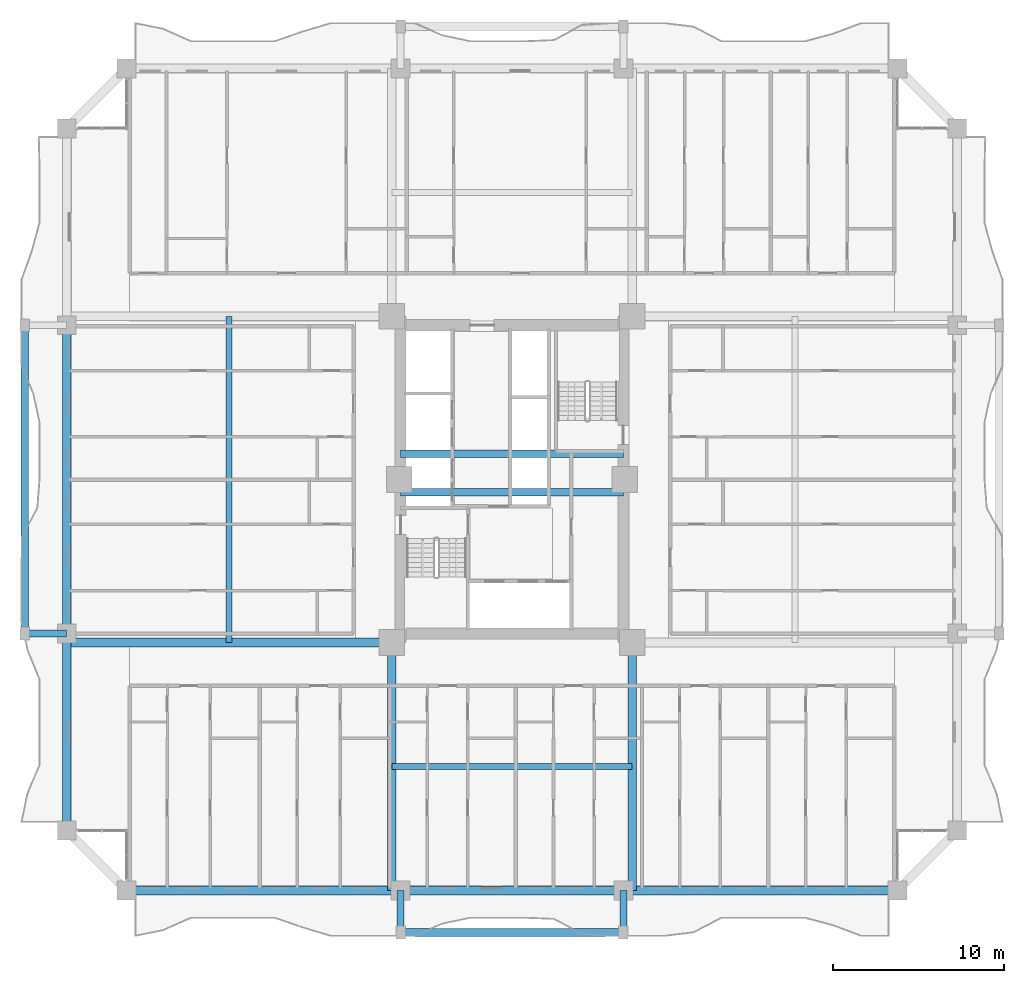
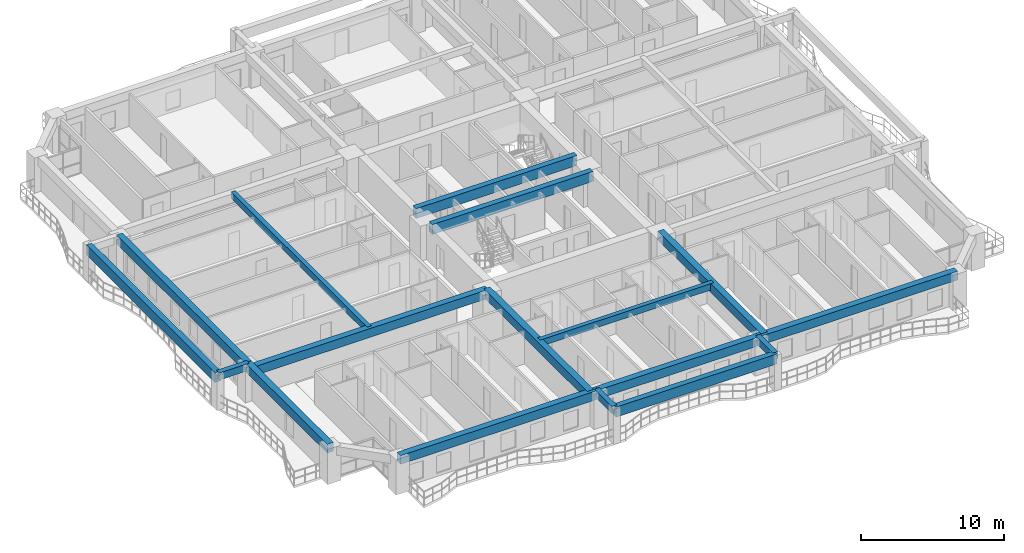
# One storey, part 3 of 28: 17 beams.
"""IFC4 building model written with IfcOpenShell, lengths in metres."""

from ifc_helpers import new_model, si_unit, direction, frame, origin, origin_2d, place, context, subcontext, project, spatial, rectangle, extrude, source, transform, mapped, material, material_profile, profile_set, type_object, element, save


model = new_model("IFC4")

# Units and contexts
model_context = context("Model", 3, precision=1e-05, world=origin(), true_north=direction((0.0, 1.0)))
body_context = subcontext(model_context, "Body", "Model", "MODEL_VIEW")
ifc_project = project(units=[si_unit("LENGTHUNIT", "METRE"), si_unit("AREAUNIT", "SQUARE_METRE"), si_unit("VOLUMEUNIT", "CUBIC_METRE"), si_unit("PLANEANGLEUNIT", "RADIAN"), si_unit("MASSUNIT", "GRAM", prefix="KILO")], contexts=[model_context])

# Site, building, storey
site_placement = place(None, origin())
site = spatial("IfcSite", under=ifc_project, at=site_placement, CompositionType="ELEMENT")
building_placement = place(site_placement, origin())
building = spatial("IfcBuilding", under=site, at=building_placement, Name="Saelheon Loggia Tower", CompositionType="ELEMENT")
storey_placement = place(building_placement, frame((0.0, 0.0, 25.39990234375)))
storey = spatial("IfcBuildingStorey", under=building, at=storey_placement, Name="L07", CompositionType="ELEMENT", Elevation=25.39990234375)

# Beams
ifc_material_1 = material(Name="Concrete C50/60", Category="concrete")
ifc_material_profile_1 = material_profile(ifc_material_1, rectangle(XDim=0.449951171875, YDim=0.85009765625, at=origin_2d()), Name="RC-450x850")
ifc_profile_set_1 = profile_set([ifc_material_profile_1], Name="Concrete C50/60")
beam_type_1 = type_object("IfcBeamType", Name="Beam_CoreLintel_RC450x850", PredefinedType="LINTEL", material=ifc_profile_set_1)
shared_shape_1 = source(origin(), body_context, "Body", "SweptSolid", [
    extrude(rectangle(XDim=0.449951171875, YDim=0.85009765625, at=origin_2d()), origin(), (0.0, 0.0, 1.0), 13.0),
])
for number, where, z_axis, x_axis, name in (
    (1, (31.5, 26.25, 2.5751953125), (1.0, 0.0, 0.0), (0.0, 1.0, 0.0), "L07 Core Coupling Lintel 1"),
    (2, (31.5, 28.5, 2.5751953125), (1.0, 0.0, 0.0), (0.0, 1.0, 0.0), "L07 Core Coupling Lintel 2"),
):
    element("IfcBeam", number, at=place(storey_placement, frame(where, z_axis=z_axis, x_axis=x_axis)), inside=storey, type_object=beam_type_1, Name=name, PredefinedType="LINTEL", context=body_context, shape_type="MappedRepresentation", body=[
        mapped(shared_shape_1, transform((0.0, 0.0, 0.0), scale=1.0)),
    ])
ifc_material_2 = material(Name="Precast Concrete C45/55", Category="concrete")
ifc_material_profile_2 = material_profile(ifc_material_2, rectangle(XDim=0.449951171875, YDim=0.85009765625, at=origin_2d()), Name="RC-450x850")
ifc_profile_set_2 = profile_set([ifc_material_profile_2], Name="Precast Concrete C45/55")
beam_type_2 = type_object("IfcBeamType", Name="Beam_LoggiaSpandrel_RC450x850", PredefinedType="SPANDREL", material=ifc_profile_set_2)
beam_1_placement = place(storey_placement, frame((31.5, 0.550048828125, 2.5751953125), z_axis=(1.0, 0.0, 0.0), x_axis=(0.0, 1.0, 0.0)))
element("IfcBeam", 3, at=beam_1_placement, inside=storey, type_object=beam_type_2, Name="L07 Loggia Spandrel Beam S", PredefinedType="SPANDREL", context=body_context, shape_type="MappedRepresentation", body=[
    mapped(shared_shape_1, transform((0.0, 0.0, 0.0), scale=1.0)),
])
ifc_material_3 = material(Name="Concrete C45/55", Category="concrete")
ifc_material_profile_3 = material_profile(ifc_material_3, rectangle(XDim=0.5, YDim=0.75, at=origin_2d()), Name="RC-500x750")
ifc_profile_set_3 = profile_set([ifc_material_profile_3], Name="Concrete C45/55")
beam_type_3 = type_object("IfcBeamType", Name="Beam_FloorGirder_RC500x750", PredefinedType="BEAM", material=ifc_profile_set_3)
shared_shape_2 = source(origin(), body_context, "Body", "SweptSolid", [
    extrude(rectangle(XDim=0.5, YDim=0.75, at=origin_2d()), origin(), (0.0, 0.0, 1.0), 14.47998046875),
])
for number, where, z_axis, x_axis, name in (
    (4, (30.97998046875, 17.47998046875, 2.625), (0.0, -1.0, 0.0), (1.0, 0.0, 0.0), "L07 Radial Floor Girder RAD-SW-S"),
    (5, (45.02001953125, 17.47998046875, 2.625), (0.0, -1.0, 0.0), (1.0, 0.0, 0.0), "L07 Radial Floor Girder RAD-SE-S"),
):
    element("IfcBeam", number, at=place(storey_placement, frame(where, z_axis=z_axis, x_axis=x_axis)), inside=storey, type_object=beam_type_3, Name=name, PredefinedType="BEAM", context=body_context, shape_type="MappedRepresentation", body=[
        mapped(shared_shape_2, transform((0.0, 0.0, 0.0), scale=1.0)),
    ])
ifc_material_profile_4 = material_profile(ifc_material_3, rectangle(XDim=0.5, YDim=0.75, at=origin_2d()), Name="RC-500x750")
ifc_profile_set_4 = profile_set([ifc_material_profile_4], Name="Concrete C45/55")
beam_type_4 = type_object("IfcBeamType", Name="Beam_PerimGirder_RC500x750", PredefinedType="BEAM", material=ifc_profile_set_4)
shared_shape_3 = source(origin(), body_context, "Body", "SweptSolid", [
    extrude(rectangle(XDim=0.5, YDim=0.75, at=origin_2d()), origin(), (0.0, 0.0, 1.0), 16.0),
])
for number, where, z_axis, x_axis, name in (
    (6, (15.5, 3.0, 2.625), (1.0, 0.0, 0.0), (0.0, 1.0, 0.0), "L07 Perimeter Frame Girder 01"),
    (7, (44.5, 3.0, 2.625), (1.0, 0.0, 0.0), (0.0, 1.0, 0.0), "L07 Perimeter Frame Girder 03"),
):
    element("IfcBeam", number, at=place(storey_placement, frame(where, z_axis=z_axis, x_axis=x_axis)), inside=storey, type_object=beam_type_4, Name=name, PredefinedType="BEAM", context=body_context, shape_type="MappedRepresentation", body=[
        mapped(shared_shape_3, transform((0.0, 0.0, 0.0), scale=1.0)),
    ])
shared_shape_4 = source(origin(), body_context, "Body", "SweptSolid", [
    extrude(rectangle(XDim=0.5, YDim=0.75, at=origin_2d()), origin(), (0.0, 0.0, 1.0), 13.0),
])
beam_2_placement = place(storey_placement, frame((31.5, 3.0, 2.625), z_axis=(1.0, 0.0, 0.0), x_axis=(0.0, 1.0, 0.0)))
element("IfcBeam", 8, at=beam_2_placement, inside=storey, type_object=beam_type_4, Name="L07 Perimeter Frame Girder 02", PredefinedType="BEAM", context=body_context, shape_type="MappedRepresentation", body=[
    mapped(shared_shape_4, transform((0.0, 0.0, 0.0), scale=1.0)),
])
shared_shape_5 = source(origin(), body_context, "Body", "SweptSolid", [
    extrude(rectangle(XDim=0.5, YDim=0.75, at=origin_2d()), origin(), (0.0, 0.0, 1.0), 11.5),
])
beam_3_placement = place(storey_placement, frame((12.0, 18.0, 2.625), z_axis=(0.0, -1.0, 0.0), x_axis=(1.0, 0.0, 0.0)))
element("IfcBeam", 9, at=beam_3_placement, inside=storey, type_object=beam_type_4, Name="L07 Perimeter Frame Girder 15", PredefinedType="BEAM", context=body_context, shape_type="MappedRepresentation", body=[
    mapped(shared_shape_5, transform((0.0, 0.0, 0.0), scale=1.0)),
])
shared_shape_6 = source(origin(), body_context, "Body", "SweptSolid", [
    extrude(rectangle(XDim=0.5, YDim=0.75, at=origin_2d()), origin(), (0.0, 0.0, 1.0), 18.0),
])
beam_4_placement = place(storey_placement, frame((12.0, 36.0, 2.625), z_axis=(0.0, -1.0, 0.0), x_axis=(1.0, 0.0, 0.0)))
element("IfcBeam", 10, at=beam_4_placement, inside=storey, type_object=beam_type_4, Name="L07 Perimeter Frame Girder 14", PredefinedType="BEAM", context=body_context, shape_type="MappedRepresentation", body=[
    mapped(shared_shape_6, transform((0.0, 0.0, 0.0), scale=1.0)),
])
shared_shape_7 = source(origin(), body_context, "Body", "SweptSolid", [
    extrude(rectangle(XDim=0.5, YDim=0.75, at=origin_2d()), origin(), (0.0, 0.0, 1.0), 18.97998046875),
])
beam_5_placement = place(storey_placement, frame((30.97998046875, 17.47998046875, 2.625), z_axis=(-1.0, 0.0, 0.0), x_axis=(0.0, -1.0, 0.0)))
element("IfcBeam", 11, at=beam_5_placement, inside=storey, type_object=beam_type_3, Name="L07 Radial Floor Girder RAD-SW-W", PredefinedType="BEAM", context=body_context, shape_type="MappedRepresentation", body=[
    mapped(shared_shape_7, transform((0.0, 0.0, 0.0), scale=1.0)),
])
ifc_material_4 = material(Name="Concrete C40/50", Category="concrete")
ifc_material_profile_5 = material_profile(ifc_material_4, rectangle(XDim=0.35009765625, YDim=0.550048828125, at=origin_2d()), Name="RC-350x550")
ifc_profile_set_5 = profile_set([ifc_material_profile_5], Name="Concrete C40/50")
beam_type_5 = type_object("IfcBeamType", Name="Beam_Joist_RC350x550", PredefinedType="JOIST", material=ifc_profile_set_5)
shared_shape_8 = source(origin(), body_context, "Body", "SweptSolid", [
    extrude(rectangle(XDim=0.35009765625, YDim=0.550048828125, at=origin_2d()), origin(), (0.0, 0.0, 1.0), 14.0400390625),
])
beam_6_placement = place(storey_placement, frame((30.97998046875, 10.239990234375, 2.72509765625), z_axis=(1.0, 0.0, 0.0), x_axis=(0.0, 1.0, 0.0)))
element("IfcBeam", 12, at=beam_6_placement, inside=storey, type_object=beam_type_5, Name="L07 South Floor Joist", PredefinedType="JOIST", context=body_context, shape_type="MappedRepresentation", body=[
    mapped(shared_shape_8, transform((0.0, 0.0, 0.0), scale=1.0)),
])
shared_shape_9 = source(origin(), body_context, "Body", "SweptSolid", [
    extrude(rectangle(XDim=0.35009765625, YDim=0.550048828125, at=origin_2d()), origin(), (0.0, 0.0, 1.0), 19.0400390625),
])
beam_7_placement = place(storey_placement, frame((21.489990234375, 17.47998046875, 2.72509765625), z_axis=(0.0, 1.0, 0.0), x_axis=(-1.0, 0.0, 0.0)))
element("IfcBeam", 13, at=beam_7_placement, inside=storey, type_object=beam_type_5, Name="L07 West Floor Joist", PredefinedType="JOIST", context=body_context, shape_type="MappedRepresentation", body=[
    mapped(shared_shape_9, transform((0.0, 0.0, 0.0), scale=1.0)),
])
ifc_material_profile_6 = material_profile(ifc_material_2, rectangle(XDim=0.39990234375, YDim=0.60009765625, at=origin_2d()), Name="RC-400x600")
ifc_profile_set_6 = profile_set([ifc_material_profile_6], Name="Precast Concrete C45/55")
beam_type_6 = type_object("IfcBeamType", Name="Beam_LoggiaTie_RC400x600", PredefinedType="BEAM", material=ifc_profile_set_6)
shared_shape_10 = source(origin(), body_context, "Body", "SweptSolid", [
    extrude(rectangle(XDim=0.39990234375, YDim=0.60009765625, at=origin_2d()), origin(), (0.0, 0.0, 1.0), 2.449951171875),
])
for number, where, z_axis, x_axis, name in (
    (14, (31.5, 3.0, 2.7001953125), (0.0, -1.0, 0.0), (1.0, 0.0, 0.0), "L07 Loggia Frame Tie Beam LP-S1"),
    (15, (44.5, 3.0, 2.7001953125), (0.0, -1.0, 0.0), (1.0, 0.0, 0.0), "L07 Loggia Frame Tie Beam LP-S2"),
    (16, (12.0, 18.0, 2.7001953125), (-1.0, 0.0, 0.0), (0.0, -1.0, 0.0), "L07 Loggia Frame Tie Beam LP-W1"),
):
    element("IfcBeam", number, at=place(storey_placement, frame(where, z_axis=z_axis, x_axis=x_axis)), inside=storey, type_object=beam_type_6, Name=name, PredefinedType="BEAM", context=body_context, shape_type="MappedRepresentation", body=[
        mapped(shared_shape_10, transform((0.0, 0.0, 0.0), scale=1.0)),
    ])
shared_shape_11 = source(origin(), body_context, "Body", "SweptSolid", [
    extrude(rectangle(XDim=0.449951171875, YDim=0.85009765625, at=origin_2d()), origin(), (0.0, 0.0, 1.0), 18.0),
])
beam_8_placement = place(storey_placement, frame((9.550048828125, 18.0, 2.5751953125), z_axis=(0.0, 1.0, 0.0), x_axis=(-1.0, 0.0, 0.0)))
element("IfcBeam", 17, at=beam_8_placement, inside=storey, type_object=beam_type_2, Name="L07 Loggia Spandrel Beam W", PredefinedType="SPANDREL", context=body_context, shape_type="MappedRepresentation", body=[
    mapped(shared_shape_11, transform((0.0, 0.0, 0.0), scale=1.0)),
])

save(model, "model.ifc")
